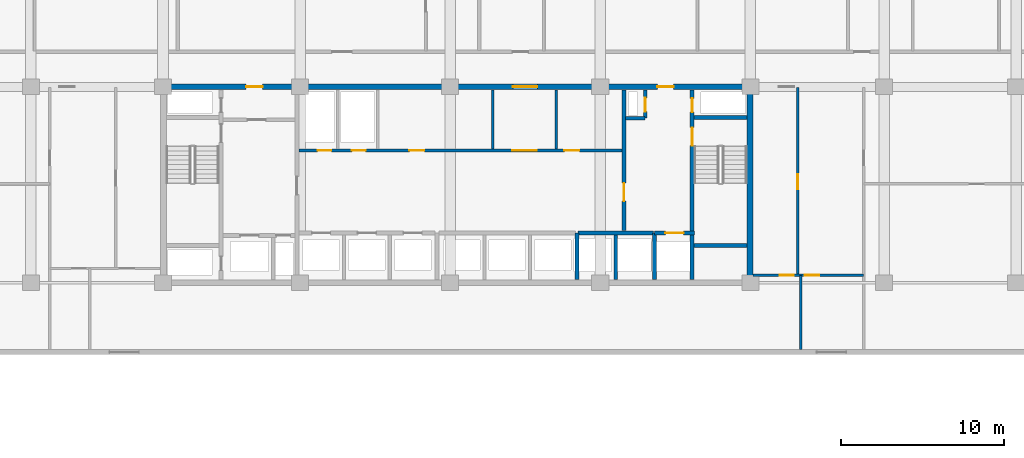
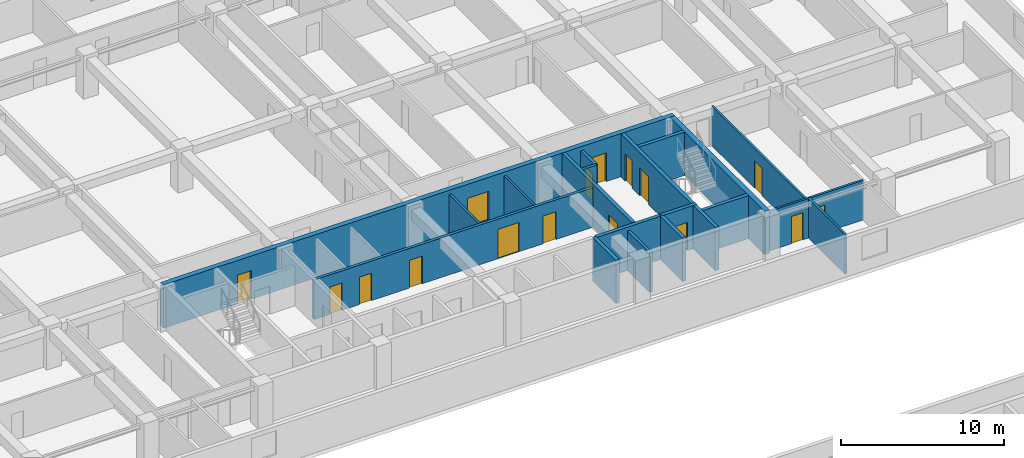
# One storey, part 12 of 23: 19 walls, 16 doors, 16 openings.
"""IFC4 building model written with IfcOpenShell, lengths in metres."""

from ifc_helpers import new_model, si_unit, direction, frame, frame_2d, origin, place, context, subcontext, project, spatial, rectangle, extrude, material, layer, layer_set, type_object, element, fill, save


model = new_model("IFC4")

# Units and contexts
model_context = context("Model", 3, precision=1e-05, world=origin(), true_north=direction((0.0, 1.0)))
body_context = subcontext(model_context, "Body", "Model", "MODEL_VIEW")
ifc_project = project(units=[si_unit("LENGTHUNIT", "METRE"), si_unit("AREAUNIT", "SQUARE_METRE"), si_unit("VOLUMEUNIT", "CUBIC_METRE"), si_unit("PLANEANGLEUNIT", "RADIAN"), si_unit("MASSUNIT", "GRAM", prefix="KILO")], contexts=[model_context])

# Site, building, storey
site_placement = place(None, origin())
site = spatial("IfcSite", under=ifc_project, at=site_placement, CompositionType="ELEMENT")
building_placement = place(site_placement, origin())
building = spatial("IfcBuilding", under=site, at=building_placement, Name="Korimba Cascade Residences", CompositionType="ELEMENT")
storey_placement = place(building_placement, frame((0.0, 0.0, 56.5)))
storey = spatial("IfcBuildingStorey", under=building, at=storey_placement, Name="L15", CompositionType="ELEMENT", Elevation=56.5)

# Wall
ifc_material_1 = material(Name="Concrete C65/80", Category="concrete")
ifc_layer_1 = layer(ifc_material_1, 0.35009765625)
ifc_layer_set_1 = layer_set([ifc_layer_1], Name="Concrete C65/80")
wall_type_1 = type_object("IfcWallType", Name="WAL-CORE-350", PredefinedType="SHEAR", material=ifc_layer_set_1)
wall_1_placement = place(storey_placement, frame((112.074951171875, 55.375, 0.0), z_axis=(0.0, 0.0, 1.0), x_axis=(0.0, 1.0, 0.0)))
element("IfcWall", 1, at=wall_1_placement, inside=storey, type_object=wall_type_1, Name="L15 Core Shear Wall CW-L15-T1-E", PredefinedType="SHEAR", context=body_context, shape_type="SweptSolid", body=[
    extrude(rectangle(XDim=11.64990234375, YDim=0.35009765625, at=frame_2d((5.824951171875, 0.0))), origin(), (0.0, 0.0, 1.0), 3.25),
])

# Wall, openings, doors
wall_2_placement = place(storey_placement, frame((75.949951171875, 67.199951171875, 0.0), z_axis=(0.0, 0.0, 1.0), x_axis=(1.0, 0.0, 0.0)))
wall_2 = element("IfcWall", 2, at=wall_2_placement, inside=storey, type_object=wall_type_1, Name="L15 Core Shear Wall CW-L15-T1-N", PredefinedType="SHEAR", context=body_context, shape_type="SweptSolid", body=[
    extrude(rectangle(XDim=36.300048828125, YDim=0.35009765625, at=frame_2d((18.14990234375, 0.0))), origin(), (0.0, 0.0, 1.0), 3.25),
])
opening_1_placement = place(wall_2_placement, frame((5.25, 0.0, 0.0)))
opening_1 = element("IfcOpeningElement", 3, at=opening_1_placement, cuts=wall_2, Name="Opening D-FD5", PredefinedType="OPENING", context=body_context, shape_type="SweptSolid", body=[
    extrude(rectangle(XDim=1.0, YDim=2.14990234375, at=frame_2d((0.5, 1.074951171875))), frame((0.0, 0.18505859375, 0.0), z_axis=(0.0, -1.0, 0.0), x_axis=(1.0, 0.0, 0.0)), (0.0, 0.0, 1.0), 0.3701171875),
])
opening_2_placement = place(wall_2_placement, frame((21.60009765625, 0.0, 0.0)))
opening_2 = element("IfcOpeningElement", 4, at=opening_2_placement, cuts=wall_2, Name="Opening D-FD8", PredefinedType="OPENING", context=body_context, shape_type="SweptSolid", body=[
    extrude(rectangle(XDim=1.5, YDim=2.199951171875, at=frame_2d((0.75, 1.10009765625))), frame((0.0, 0.18505859375, 0.0), z_axis=(0.0, -1.0, 0.0), x_axis=(1.0, 0.0, 0.0)), (0.0, 0.0, 1.0), 0.3701171875),
])
opening_3_placement = place(wall_2_placement, frame((30.449951171875, 0.0, 0.0)))
opening_3 = element("IfcOpeningElement", 5, at=opening_3_placement, cuts=wall_2, Name="Opening D-FD5", PredefinedType="OPENING", context=body_context, shape_type="SweptSolid", body=[
    extrude(rectangle(XDim=1.0, YDim=2.14990234375, at=frame_2d((0.5, 1.074951171875))), frame((0.0, 0.18505859375, 0.0), z_axis=(0.0, -1.0, 0.0), x_axis=(1.0, 0.0, 0.0)), (0.0, 0.0, 1.0), 0.3701171875),
])
ifc_material_2 = material(Name="Fire-Rated Acoustic Timber Vestibule Door", Category="wood")
door_type_1 = type_object("IfcDoorType", Name="DR-FD90-1000", OperationType="NOTDEFINED", PredefinedType="DOOR", material=ifc_material_2)
door_1_placement = place(opening_1_placement, origin())
door_1 = element("IfcDoor", 6, at=door_1_placement, inside=storey, type_object=door_type_1, Name="L15 T1 West Core Vestibule Fire Door", OperationType="SINGLE_SWING_RIGHT", OverallHeight=2.14990234375, OverallWidth=1.0, PredefinedType="DOOR", context=body_context, shape_type="SweptSolid", body=[
    extrude(rectangle(XDim=1.0, YDim=2.14990234375, at=frame_2d((0.5, 1.074951171875))), frame((0.0, 0.02490234375, 0.0), z_axis=(0.0, -1.0, 0.0), x_axis=(1.0, 0.0, 0.0)), (0.0, 0.0, 1.0), 0.050048828125),
])
fill(opening_1, door_1)
door_2_placement = place(opening_3_placement, origin())
door_2 = element("IfcDoor", 7, at=door_2_placement, inside=storey, type_object=door_type_1, Name="L15 T1 East Firefighting Vestibule Fire Door", OperationType="SINGLE_SWING_LEFT", OverallHeight=2.14990234375, OverallWidth=1.0, PredefinedType="DOOR", context=body_context, shape_type="SweptSolid", body=[
    extrude(rectangle(XDim=1.0, YDim=2.14990234375, at=frame_2d((0.5, 1.074951171875))), frame((0.0, 0.02490234375, 0.0), z_axis=(0.0, -1.0, 0.0), x_axis=(1.0, 0.0, 0.0)), (0.0, 0.0, 1.0), 0.050048828125),
])
fill(opening_3, door_2)
ifc_material_3 = material(Name="Fire-Rated Glazed Lift Lobby Double Door", Category="glass")
door_type_2 = type_object("IfcDoorType", Name="DR-FD90-1500", OperationType="NOTDEFINED", PredefinedType="DOOR", material=ifc_material_3)
door_3_placement = place(opening_2_placement, origin())
door_3 = element("IfcDoor", 8, at=door_3_placement, inside=storey, type_object=door_type_2, Name="L15 T1 Lift Lobby Fire Door", OperationType="DOUBLE_DOOR_SINGLE_SWING", OverallHeight=2.199951171875, OverallWidth=1.5, PredefinedType="DOOR", context=body_context, shape_type="SweptSolid", body=[
    extrude(rectangle(XDim=1.5, YDim=2.199951171875, at=frame_2d((0.75, 1.10009765625))), frame((0.0, 0.02490234375, 0.0), z_axis=(0.0, -1.0, 0.0), x_axis=(1.0, 0.0, 0.0)), (0.0, 0.0, 1.0), 0.050048828125),
])
fill(opening_2, door_3)

# Walls
ifc_material_4 = material(Name="Insulated Acoustic Stud Partition", Category="gypsum")
ifc_layer_2 = layer(ifc_material_4, 0.14990234375)
ifc_layer_set_2 = layer_set([ifc_layer_2], Name="Insulated Acoustic Stud Partition")
wall_type_2 = type_object("IfcWallType", Name="WAL-PART-150", PredefinedType="PARTITIONING", material=ifc_layer_set_2)
for number, where, z_axis, x_axis, name in (
    (9, (96.300048828125, 63.39990234375, 0.0), (0.0, 0.0, 1.0), (0.0, 1.0, 0.0), "L15 Partition Wall CW-L15-T1-THW"),
    (10, (100.199951171875, 63.39990234375, 0.0), (0.0, 0.0, 1.0), (0.0, 1.0, 0.0), "L15 Partition Wall CW-L15-T1-THE"),
):
    element("IfcWall", number, at=place(storey_placement, frame(where, z_axis=z_axis, x_axis=x_axis)), inside=storey, type_object=wall_type_2, Name=name, PredefinedType="PARTITIONING", context=body_context, shape_type="SweptSolid", body=[
        extrude(rectangle(XDim=3.60009765625, YDim=0.14990234375, at=frame_2d((1.800048828125, 0.0))), origin(), (0.0, 0.0, 1.0), 2.969970703125),
    ])

# Wall, opening, door
wall_3_placement = place(storey_placement, frame((115.0, 55.64990234375, 0.0), z_axis=(0.0, 0.0, 1.0), x_axis=(0.0, 1.0, 0.0)))
wall_3 = element("IfcWall", 11, at=wall_3_placement, inside=storey, type_object=wall_type_2, Name="L15 Partition Wall WAL-L15-T1-FE-VN", PredefinedType="PARTITIONING", context=body_context, shape_type="SweptSolid", body=[
    extrude(rectangle(XDim=11.5, YDim=0.14990234375, at=frame_2d((5.75, 0.0))), origin(), (0.0, 0.0, 1.0), 2.969970703125),
])
opening_4_placement = place(wall_3_placement, frame((5.2900390625, 0.0, 0.0)))
opening_4 = element("IfcOpeningElement", 12, at=opening_4_placement, cuts=wall_3, Name="Opening D-IN1", PredefinedType="OPENING", context=body_context, shape_type="SweptSolid", body=[
    extrude(rectangle(XDim=0.919921875, YDim=2.080078125, at=frame_2d((0.4599609375, 1.0400390625))), frame((0.0, 0.0849609375, 0.0), z_axis=(0.0, -1.0, 0.0), x_axis=(1.0, 0.0, 0.0)), (0.0, 0.0, 1.0), 0.169921875),
])
ifc_material_5 = material(Name="Acoustic Timber Living Door", Category="wood")
door_type_3 = type_object("IfcDoorType", Name="DR-INT-920", OperationType="NOTDEFINED", PredefinedType="DOOR", material=ifc_material_5)
door_4_placement = place(opening_4_placement, origin())
door_4 = element("IfcDoor", 13, at=door_4_placement, inside=storey, type_object=door_type_3, Name="L15-T1-FE Living Door", OperationType="SINGLE_SWING_RIGHT", OverallHeight=2.080078125, OverallWidth=0.919921875, PredefinedType="DOOR", context=body_context, shape_type="SweptSolid", body=[
    extrude(rectangle(XDim=0.919921875, YDim=2.080078125, at=frame_2d((0.4599609375, 1.0400390625))), frame((0.0, 0.02490234375, 0.0), z_axis=(0.0, -1.0, 0.0), x_axis=(1.0, 0.0, 0.0)), (0.0, 0.0, 1.0), 0.050048828125),
])
fill(opening_4, door_4)

# Wall
wall_4_placement = place(storey_placement, frame((115.199951171875, 51.10009765625, 0.0), z_axis=(0.0, 0.0, 1.0), x_axis=(0.0, 1.0, 0.0)))
element("IfcWall", 14, at=wall_4_placement, inside=storey, type_object=wall_type_2, Name="L15 Partition Wall WAL-L15-T1-FE-VS", PredefinedType="PARTITIONING", context=body_context, shape_type="SweptSolid", body=[
    extrude(rectangle(XDim=4.5498046875, YDim=0.14990234375, at=frame_2d((2.27490234375, 0.0))), origin(), (0.0, 0.0, 1.0), 2.969970703125),
])

# Wall, openings, doors
wall_5_placement = place(storey_placement, frame((112.27001953125, 55.64990234375, 0.0), z_axis=(0.0, 0.0, 1.0), x_axis=(1.0, 0.0, 0.0)))
wall_5 = element("IfcWall", 15, at=wall_5_placement, inside=storey, type_object=wall_type_2, Name="L15 Partition Wall WAL-L15-T1-FE-H", PredefinedType="PARTITIONING", context=body_context, shape_type="SweptSolid", body=[
    extrude(rectangle(XDim=6.760009765625, YDim=0.14990234375, at=frame_2d((3.3798828125, 0.0))), origin(), (0.0, 0.0, 1.0), 2.969970703125),
])
opening_5_placement = place(wall_5_placement, frame((1.6396484375, 0.0, 0.0)))
opening_5 = element("IfcOpeningElement", 16, at=opening_5_placement, cuts=wall_5, Name="Opening D-BT1", PredefinedType="OPENING", context=body_context, shape_type="SweptSolid", body=[
    extrude(rectangle(XDim=0.840087890625, YDim=2.0400390625, at=frame_2d((0.419921875, 1.02001953125))), frame((0.0, 0.0849609375, 0.0), z_axis=(0.0, -1.0, 0.0), x_axis=(1.0, 0.0, 0.0)), (0.0, 0.0, 1.0), 0.169921875),
])
opening_6_placement = place(wall_5_placement, frame((3.160400390625, 0.0, 0.0)))
opening_6 = element("IfcOpeningElement", 17, at=opening_6_placement, cuts=wall_5, Name="Opening D-IN2", PredefinedType="OPENING", context=body_context, shape_type="SweptSolid", body=[
    extrude(rectangle(XDim=0.8798828125, YDim=2.06005859375, at=frame_2d((0.43994140625, 1.030029296875))), frame((0.0, 0.0849609375, 0.0), z_axis=(0.0, -1.0, 0.0), x_axis=(1.0, 0.0, 0.0)), (0.0, 0.0, 1.0), 0.169921875),
])
ifc_material_6 = material(Name="Moisture-Resistant Bathroom Timber Door", Category="wood")
door_type_4 = type_object("IfcDoorType", Name="DR-INT-850", OperationType="NOTDEFINED", PredefinedType="DOOR", material=ifc_material_6)
door_5_placement = place(opening_5_placement, origin())
door_5 = element("IfcDoor", 18, at=door_5_placement, inside=storey, type_object=door_type_4, Name="L15-T1-FE Bathroom Door", OperationType="SINGLE_SWING_LEFT", OverallHeight=2.0400390625, OverallWidth=0.840087890625, PredefinedType="DOOR", context=body_context, shape_type="SweptSolid", body=[
    extrude(rectangle(XDim=0.840087890625, YDim=2.0400390625, at=frame_2d((0.419921875, 1.02001953125))), frame((0.0, 0.02490234375, 0.0), z_axis=(0.0, -1.0, 0.0), x_axis=(1.0, 0.0, 0.0)), (0.0, 0.0, 1.0), 0.050048828125),
])
fill(opening_5, door_5)
ifc_material_7 = material(Name="Acoustic Timber Bedroom Door", Category="wood")
door_type_5 = type_object("IfcDoorType", Name="DR-INT-880", OperationType="NOTDEFINED", PredefinedType="DOOR", material=ifc_material_7)
door_6_placement = place(opening_6_placement, origin())
door_6 = element("IfcDoor", 19, at=door_6_placement, inside=storey, type_object=door_type_5, Name="L15-T1-FE Bedroom Door", OperationType="SINGLE_SWING_RIGHT", OverallHeight=2.06005859375, OverallWidth=0.8798828125, PredefinedType="DOOR", context=body_context, shape_type="SweptSolid", body=[
    extrude(rectangle(XDim=0.8798828125, YDim=2.06005859375, at=frame_2d((0.43994140625, 1.030029296875))), frame((0.0, 0.02490234375, 0.0), z_axis=(0.0, -1.0, 0.0), x_axis=(1.0, 0.0, 0.0)), (0.0, 0.0, 1.0), 0.050048828125),
])
fill(opening_6, door_6)

# Wall
ifc_material_8 = material(Name="Concrete C40/50", Category="concrete")
ifc_layer_3 = layer(ifc_material_8, 0.199951171875)
ifc_layer_set_3 = layer_set([ifc_layer_3], Name="Concrete C40/50")
wall_type_3 = type_object("IfcWallType", Name="WAL-PART-200", PredefinedType="PARTITIONING", material=ifc_layer_set_3)
wall_6_placement = place(storey_placement, frame((103.85009765625, 55.39990234375, 0.0), z_axis=(0.0, 0.0, 1.0), x_axis=(0.0, 1.0, 0.0)))
element("IfcWall", 20, at=wall_6_placement, inside=storey, type_object=wall_type_3, Name="L15 Partition Wall CW-L15-T1-B3D1", PredefinedType="PARTITIONING", context=body_context, shape_type="SweptSolid", body=[
    extrude(rectangle(XDim=2.72021484375, YDim=0.199951171875, at=frame_2d((1.360107421875, 0.0))), origin(), (0.0, 0.0, 1.0), 2.969970703125),
])

# Wall, openings, doors
wall_7_placement = place(storey_placement, frame((84.419921875, 63.300048828125, 0.0), z_axis=(0.0, 0.0, 1.0), x_axis=(1.0, 0.0, 0.0)))
wall_7 = element("IfcWall", 21, at=wall_7_placement, inside=storey, type_object=wall_type_3, Name="L15 Partition Wall CW-L15-T1-SRVROW", PredefinedType="PARTITIONING", context=body_context, shape_type="SweptSolid", body=[
    extrude(rectangle(XDim=19.830078125, YDim=0.199951171875, at=frame_2d((9.9150390625, 0.0))), origin(), (0.0, 0.0, 1.0), 2.969970703125),
])
opening_7_placement = place(wall_7_placement, frame((1.14990234375, 0.0, 0.0)))
opening_7 = element("IfcOpeningElement", 22, at=opening_7_placement, cuts=wall_7, Name="Opening D-RS1", PredefinedType="OPENING", context=body_context, shape_type="SweptSolid", body=[
    extrude(rectangle(XDim=0.85009765625, YDim=2.050048828125, at=frame_2d((0.425048828125, 1.02490234375))), frame((0.0, 0.10986328125, 0.0), z_axis=(0.0, -1.0, 0.0), x_axis=(1.0, 0.0, 0.0)), (0.0, 0.0, 1.0), 0.219970703125),
])
opening_8_placement = place(wall_7_placement, frame((3.25, 0.0, 0.0)))
opening_8 = element("IfcOpeningElement", 23, at=opening_8_placement, cuts=wall_7, Name="Opening D-RS1", PredefinedType="OPENING", context=body_context, shape_type="SweptSolid", body=[
    extrude(rectangle(XDim=0.85009765625, YDim=2.050048828125, at=frame_2d((0.425048828125, 1.02490234375))), frame((0.0, 0.10986328125, 0.0), z_axis=(0.0, -1.0, 0.0), x_axis=(1.0, 0.0, 0.0)), (0.0, 0.0, 1.0), 0.219970703125),
])
opening_9_placement = place(wall_7_placement, frame((13.080078125, 0.0, 0.0)))
opening_9 = element("IfcOpeningElement", 24, at=opening_9_placement, cuts=wall_7, Name="Opening D-FD8", PredefinedType="OPENING", context=body_context, shape_type="SweptSolid", body=[
    extrude(rectangle(XDim=1.5, YDim=2.199951171875, at=frame_2d((0.75, 1.10009765625))), frame((0.0, 0.10986328125, 0.0), z_axis=(0.0, -1.0, 0.0), x_axis=(1.0, 0.0, 0.0)), (0.0, 0.0, 1.0), 0.219970703125),
])
opening_10_placement = place(wall_7_placement, frame((6.780029296875, 0.0, 0.0)))
opening_10 = element("IfcOpeningElement", 25, at=opening_10_placement, cuts=wall_7, Name="Opening D-IN1", PredefinedType="OPENING", context=body_context, shape_type="SweptSolid", body=[
    extrude(rectangle(XDim=0.919921875, YDim=2.080078125, at=frame_2d((0.4599609375, 1.0400390625))), frame((0.0, 0.10986328125, 0.0), z_axis=(0.0, -1.0, 0.0), x_axis=(1.0, 0.0, 0.0)), (0.0, 0.0, 1.0), 0.219970703125),
])
opening_11_placement = place(wall_7_placement, frame((16.280029296875, 0.0, 0.0)))
opening_11 = element("IfcOpeningElement", 26, at=opening_11_placement, cuts=wall_7, Name="Opening D-IN1", PredefinedType="OPENING", context=body_context, shape_type="SweptSolid", body=[
    extrude(rectangle(XDim=0.919921875, YDim=2.080078125, at=frame_2d((0.4599609375, 1.0400390625))), frame((0.0, 0.10986328125, 0.0), z_axis=(0.0, -1.0, 0.0), x_axis=(1.0, 0.0, 0.0)), (0.0, 0.0, 1.0), 0.219970703125),
])
ifc_material_9 = material(Name="Fire-Rated Steel Riser Access Door", Category="steel")
door_type_6 = type_object("IfcDoorType", Name="DR-FD60-850", OperationType="NOTDEFINED", PredefinedType="DOOR", material=ifc_material_9)
door_7_placement = place(opening_7_placement, origin())
door_7 = element("IfcDoor", 27, at=door_7_placement, inside=storey, type_object=door_type_6, Name="L15 Electrical Riser Door", OperationType="SINGLE_SWING_RIGHT", OverallHeight=2.050048828125, OverallWidth=0.85009765625, PredefinedType="DOOR", context=body_context, shape_type="SweptSolid", body=[
    extrude(rectangle(XDim=0.85009765625, YDim=2.050048828125, at=frame_2d((0.425048828125, 1.02490234375))), frame((0.0, 0.02490234375, 0.0), z_axis=(0.0, -1.0, 0.0), x_axis=(1.0, 0.0, 0.0)), (0.0, 0.0, 1.0), 0.050048828125),
])
fill(opening_7, door_7)
door_8_placement = place(opening_8_placement, origin())
door_8 = element("IfcDoor", 28, at=door_8_placement, inside=storey, type_object=door_type_6, Name="L15 Plumbing Riser Door", OperationType="SINGLE_SWING_LEFT", OverallHeight=2.050048828125, OverallWidth=0.85009765625, PredefinedType="DOOR", context=body_context, shape_type="SweptSolid", body=[
    extrude(rectangle(XDim=0.85009765625, YDim=2.050048828125, at=frame_2d((0.425048828125, 1.02490234375))), frame((0.0, 0.02490234375, 0.0), z_axis=(0.0, -1.0, 0.0), x_axis=(1.0, 0.0, 0.0)), (0.0, 0.0, 1.0), 0.050048828125),
])
fill(opening_8, door_8)
door_9_placement = place(opening_9_placement, origin())
door_9 = element("IfcDoor", 29, at=door_9_placement, inside=storey, type_object=door_type_2, Name="L15 Lift Lobby Foyer Archway Door", OperationType="DOUBLE_DOOR_SINGLE_SWING", OverallHeight=2.199951171875, OverallWidth=1.5, PredefinedType="DOOR", context=body_context, shape_type="SweptSolid", body=[
    extrude(rectangle(XDim=1.5, YDim=2.199951171875, at=frame_2d((0.75, 1.10009765625))), frame((0.0, 0.02490234375, 0.0), z_axis=(0.0, -1.0, 0.0), x_axis=(1.0, 0.0, 0.0)), (0.0, 0.0, 1.0), 0.050048828125),
])
fill(opening_9, door_9)
door_10_placement = place(opening_10_placement, origin())
door_10 = element("IfcDoor", 30, at=door_10_placement, inside=storey, type_object=door_type_3, Name="L15 Housekeeping Door", OperationType="SINGLE_SWING_RIGHT", OverallHeight=2.080078125, OverallWidth=0.919921875, PredefinedType="DOOR", context=body_context, shape_type="SweptSolid", body=[
    extrude(rectangle(XDim=0.919921875, YDim=2.080078125, at=frame_2d((0.4599609375, 1.0400390625))), frame((0.0, 0.02490234375, 0.0), z_axis=(0.0, -1.0, 0.0), x_axis=(1.0, 0.0, 0.0)), (0.0, 0.0, 1.0), 0.050048828125),
])
fill(opening_10, door_10)
door_11_placement = place(opening_11_placement, origin())
door_11 = element("IfcDoor", 31, at=door_11_placement, inside=storey, type_object=door_type_3, Name="L15 Store Door", OperationType="SINGLE_SWING_LEFT", OverallHeight=2.080078125, OverallWidth=0.919921875, PredefinedType="DOOR", context=body_context, shape_type="SweptSolid", body=[
    extrude(rectangle(XDim=0.919921875, YDim=2.080078125, at=frame_2d((0.4599609375, 1.0400390625))), frame((0.0, 0.02490234375, 0.0), z_axis=(0.0, -1.0, 0.0), x_axis=(1.0, 0.0, 0.0)), (0.0, 0.0, 1.0), 0.050048828125),
])
fill(opening_11, door_11)

# Wall
wall_8_placement = place(storey_placement, frame((104.449951171875, 65.280029296875, 0.0), z_axis=(0.0, 0.0, 1.0), x_axis=(1.0, 0.0, 0.0)))
element("IfcWall", 32, at=wall_8_placement, inside=storey, type_object=wall_type_3, Name="L15 Partition Wall CW-L15-T1-HYDW2S", PredefinedType="PARTITIONING", context=body_context, shape_type="SweptSolid", body=[
    extrude(rectangle(XDim=1.199951171875, YDim=0.199951171875, at=frame_2d((0.60009765625, 0.0))), origin(), (0.0, 0.0, 1.0), 2.969970703125),
])

# Wall, opening, door
wall_9_placement = place(storey_placement, frame((105.64990234375, 65.280029296875, 0.0), z_axis=(0.0, 0.0, 1.0), x_axis=(0.0, 1.0, 0.0)))
wall_9 = element("IfcWall", 33, at=wall_9_placement, inside=storey, type_object=wall_type_3, Name="L15 Partition Wall CW-L15-T1-HYDW2E", PredefinedType="PARTITIONING", context=body_context, shape_type="SweptSolid", body=[
    extrude(rectangle(XDim=1.719970703125, YDim=0.199951171875, at=frame_2d((0.85986328125, 0.0))), origin(), (0.0, 0.0, 1.0), 2.969970703125),
])
opening_12_placement = place(wall_9_placement, frame((0.39990234375, 0.0, 0.0)))
opening_12 = element("IfcOpeningElement", 34, at=opening_12_placement, cuts=wall_9, Name="Opening D-RS1", PredefinedType="OPENING", context=body_context, shape_type="SweptSolid", body=[
    extrude(rectangle(XDim=0.85009765625, YDim=2.050048828125, at=frame_2d((0.425048828125, 1.02490234375))), frame((0.0, 0.10986328125, 0.0), z_axis=(0.0, -1.0, 0.0), x_axis=(1.0, 0.0, 0.0)), (0.0, 0.0, 1.0), 0.219970703125),
])
door_12_placement = place(opening_12_placement, origin())
door_12 = element("IfcDoor", 35, at=door_12_placement, inside=storey, type_object=door_type_6, Name="L15 East Hydrant Door", OperationType="SINGLE_SWING_RIGHT", OverallHeight=2.050048828125, OverallWidth=0.85009765625, PredefinedType="DOOR", context=body_context, shape_type="SweptSolid", body=[
    extrude(rectangle(XDim=0.85009765625, YDim=2.050048828125, at=frame_2d((0.425048828125, 1.02490234375))), frame((0.0, 0.02490234375, 0.0), z_axis=(0.0, -1.0, 0.0), x_axis=(1.0, 0.0, 0.0)), (0.0, 0.0, 1.0), 0.050048828125),
])
fill(opening_12, door_12)

# Walls
ifc_material_10 = material(Name="Concrete C50/60", Category="concrete")
ifc_layer_4 = layer(ifc_material_10, 0.25)
ifc_layer_set_4 = layer_set([ifc_layer_4], Name="Concrete C50/60")
wall_type_4 = type_object("IfcWallType", Name="WAL-SHAFT-250", PredefinedType="SHEAR", material=ifc_layer_set_4)
wall_10_placement = place(storey_placement, frame((101.47998046875, 55.39990234375, 0.0), z_axis=(0.0, 0.0, 1.0), x_axis=(0.0, 1.0, 0.0)))
element("IfcWall", 36, at=wall_10_placement, inside=storey, type_object=wall_type_4, Name="L15 Core Shear Wall CW-L15-T1-B23DIV", PredefinedType="SHEAR", context=body_context, shape_type="SweptSolid", body=[
    extrude(rectangle(XDim=2.85009765625, YDim=0.25, at=frame_2d((1.425048828125, 0.0))), origin(), (0.0, 0.0, 1.0), 3.25),
])
wall_11_placement = place(storey_placement, frame((101.550048828125, 58.25, 0.0), z_axis=(0.0, 0.0, 1.0), x_axis=(1.0, 0.0, 0.0)))
element("IfcWall", 37, at=wall_11_placement, inside=storey, type_object=wall_type_4, Name="L15 Core Shear Wall CW-L15-T1-B3N", PredefinedType="SHEAR", context=body_context, shape_type="SweptSolid", body=[
    extrude(rectangle(XDim=4.599853515625, YDim=0.25, at=frame_2d((2.2998046875, 0.0))), origin(), (0.0, 0.0, 1.0), 3.25),
])
wall_12_placement = place(storey_placement, frame((106.219970703125, 55.39990234375, 0.0), z_axis=(0.0, 0.0, 1.0), x_axis=(0.0, 1.0, 0.0)))
element("IfcWall", 38, at=wall_12_placement, inside=storey, type_object=wall_type_4, Name="L15 Core Shear Wall CW-L15-T1-FF2W", PredefinedType="SHEAR", context=body_context, shape_type="SweptSolid", body=[
    extrude(rectangle(XDim=2.85009765625, YDim=0.25, at=frame_2d((1.425048828125, 0.0))), origin(), (0.0, 0.0, 1.0), 3.25),
])

# Wall, opening, door
wall_13_placement = place(storey_placement, frame((106.219970703125, 58.25, 0.0), z_axis=(0.0, 0.0, 1.0), x_axis=(1.0, 0.0, 0.0)))
wall_13 = element("IfcWall", 39, at=wall_13_placement, inside=storey, type_object=wall_type_4, Name="L15 Core Shear Wall CW-L15-T1-FF2N", PredefinedType="SHEAR", context=body_context, shape_type="SweptSolid", body=[
    extrude(rectangle(XDim=2.4599609375, YDim=0.25, at=frame_2d((1.22998046875, 0.0))), origin(), (0.0, 0.0, 1.0), 3.25),
])
opening_13_placement = place(wall_13_placement, frame((0.669921875, 0.0, 0.0)))
opening_13 = element("IfcOpeningElement", 40, at=opening_13_placement, cuts=wall_13, Name="Opening LD-01", PredefinedType="OPENING", context=body_context, shape_type="SweptSolid", body=[
    extrude(rectangle(XDim=1.1201171875, YDim=2.1201171875, at=frame_2d((0.56005859375, 1.06005859375))), frame((0.0, 0.135009765625, 0.0), z_axis=(0.0, -1.0, 0.0), x_axis=(1.0, 0.0, 0.0)), (0.0, 0.0, 1.0), 0.27001953125),
])
ifc_material_11 = material(Name="Stainless Steel Lift Landing Sliding Door", Category="steel")
door_type_7 = type_object("IfcDoorType", Name="DR-LIFT-1100", OperationType="NOTDEFINED", PredefinedType="DOOR", material=ifc_material_11)
door_13_placement = place(opening_13_placement, origin())
door_13 = element("IfcDoor", 41, at=door_13_placement, inside=storey, type_object=door_type_7, Name="L15 Firefighting Lift Landing Door FFL-W2", OperationType="SLIDING_TO_RIGHT", OverallHeight=2.1201171875, OverallWidth=1.1201171875, PredefinedType="DOOR", context=body_context, shape_type="SweptSolid", body=[
    extrude(rectangle(XDim=1.1201171875, YDim=2.1201171875, at=frame_2d((0.56005859375, 1.06005859375))), frame((0.0, 0.02490234375, 0.0), z_axis=(0.0, -1.0, 0.0), x_axis=(1.0, 0.0, 0.0)), (0.0, 0.0, 1.0), 0.050048828125),
])
fill(opening_13, door_13)

wall_14_placement = place(storey_placement, frame((104.35009765625, 58.39990234375, 0.0), z_axis=(0.0, 0.0, 1.0), x_axis=(0.0, 1.0, 0.0)))
wall_14 = element("IfcWall", 42, at=wall_14_placement, inside=storey, type_object=wall_type_4, Name="L15 Core Shear Wall CW-L15-T1-LLEV", PredefinedType="SHEAR", context=body_context, shape_type="SweptSolid", body=[
    extrude(rectangle(XDim=8.60009765625, YDim=0.25, at=frame_2d((4.300048828125, 0.0))), origin(), (0.0, 0.0, 1.0), 3.25),
])
opening_14_placement = place(wall_14_placement, frame((1.800048828125, 0.0, 0.0)))
opening_14 = element("IfcOpeningElement", 43, at=opening_14_placement, cuts=wall_14, Name="Opening D-FD1", PredefinedType="OPENING", context=body_context, shape_type="SweptSolid", body=[
    extrude(rectangle(XDim=1.10009765625, YDim=2.10009765625, at=frame_2d((0.550048828125, 1.050048828125))), frame((0.0, 0.135009765625, 0.0), z_axis=(0.0, -1.0, 0.0), x_axis=(1.0, 0.0, 0.0)), (0.0, 0.0, 1.0), 0.27001953125),
])
ifc_material_12 = material(Name="Fire-Rated Steel Core Door", Category="steel")
door_type_8 = type_object("IfcDoorType", Name="DR-FD120-1100", OperationType="NOTDEFINED", PredefinedType="DOOR", material=ifc_material_12)
door_14_placement = place(opening_14_placement, origin())
door_14 = element("IfcDoor", 44, at=door_14_placement, inside=storey, type_object=door_type_8, Name="L15 Lift Lobby to East Firefighting Lobby Door", OperationType="SINGLE_SWING_LEFT", OverallHeight=2.10009765625, OverallWidth=1.10009765625, PredefinedType="DOOR", context=body_context, shape_type="SweptSolid", body=[
    extrude(rectangle(XDim=1.10009765625, YDim=2.10009765625, at=frame_2d((0.550048828125, 1.050048828125))), frame((0.0, 0.02490234375, 0.0), z_axis=(0.0, -1.0, 0.0), x_axis=(1.0, 0.0, 0.0)), (0.0, 0.0, 1.0), 0.050048828125),
])
fill(opening_14, door_14)

# Wall, openings, doors
wall_15_placement = place(storey_placement, frame((108.534912109375, 55.39990234375, 0.0), z_axis=(0.0, 0.0, 1.0), x_axis=(0.0, 1.0, 0.0)))
wall_15 = element("IfcWall", 45, at=wall_15_placement, inside=storey, type_object=wall_type_4, Name="L15 Core Shear Wall CW-L15-T1-STW2W", PredefinedType="SHEAR", context=body_context, shape_type="SweptSolid", body=[
    extrude(rectangle(XDim=11.60009765625, YDim=0.25, at=frame_2d((5.800048828125, 0.0))), origin(), (0.0, 0.0, 1.0), 3.25),
])
opening_15_placement = place(wall_15_placement, frame((8.199951171875, 0.0, 0.0)))
opening_15 = element("IfcOpeningElement", 46, at=opening_15_placement, cuts=wall_15, Name="Opening D-FD1", PredefinedType="OPENING", context=body_context, shape_type="SweptSolid", body=[
    extrude(rectangle(XDim=1.10009765625, YDim=2.10009765625, at=frame_2d((0.550048828125, 1.050048828125))), frame((0.0, 0.135009765625, 0.0), z_axis=(0.0, -1.0, 0.0), x_axis=(1.0, 0.0, 0.0)), (0.0, 0.0, 1.0), 0.27001953125),
])
opening_16_placement = place(wall_15_placement, frame((10.25, 0.0, 0.0)))
opening_16 = element("IfcOpeningElement", 47, at=opening_16_placement, cuts=wall_15, Name="Opening D-RS1", PredefinedType="OPENING", context=body_context, shape_type="SweptSolid", body=[
    extrude(rectangle(XDim=0.85009765625, YDim=2.050048828125, at=frame_2d((0.425048828125, 1.02490234375))), frame((0.0, 0.135009765625, 0.0), z_axis=(0.0, -1.0, 0.0), x_axis=(1.0, 0.0, 0.0)), (0.0, 0.0, 1.0), 0.27001953125),
])
door_15_placement = place(opening_15_placement, origin())
door_15 = element("IfcDoor", 48, at=door_15_placement, inside=storey, type_object=door_type_8, Name="L15 Fire Stair ST-W2 Door", OperationType="SINGLE_SWING_RIGHT", OverallHeight=2.10009765625, OverallWidth=1.10009765625, PredefinedType="DOOR", context=body_context, shape_type="SweptSolid", body=[
    extrude(rectangle(XDim=1.10009765625, YDim=2.10009765625, at=frame_2d((0.550048828125, 1.050048828125))), frame((0.0, 0.02490234375, 0.0), z_axis=(0.0, -1.0, 0.0), x_axis=(1.0, 0.0, 0.0)), (0.0, 0.0, 1.0), 0.050048828125),
])
fill(opening_15, door_15)
door_16_placement = place(opening_16_placement, origin())
door_16 = element("IfcDoor", 49, at=door_16_placement, inside=storey, type_object=door_type_6, Name="L15 East Riser Door", OperationType="SINGLE_SWING_LEFT", OverallHeight=2.050048828125, OverallWidth=0.85009765625, PredefinedType="DOOR", context=body_context, shape_type="SweptSolid", body=[
    extrude(rectangle(XDim=0.85009765625, YDim=2.050048828125, at=frame_2d((0.425048828125, 1.02490234375))), frame((0.0, 0.02490234375, 0.0), z_axis=(0.0, -1.0, 0.0), x_axis=(1.0, 0.0, 0.0)), (0.0, 0.0, 1.0), 0.050048828125),
])
fill(opening_16, door_16)

# Walls
for number, where, z_axis, x_axis, name in (
    (50, (108.659912109375, 57.47509765625, 0.0), (0.0, 0.0, 1.0), (1.0, 0.0, 0.0), "L15 Core Shear Wall CW-L15-T1-STW2S"),
    (51, (108.659912109375, 65.324951171875, 0.0), (0.0, 0.0, 1.0), (1.0, 0.0, 0.0), "L15 Core Shear Wall CW-L15-T1-STW2N"),
):
    element("IfcWall", number, at=place(storey_placement, frame(where, z_axis=z_axis, x_axis=x_axis)), inside=storey, type_object=wall_type_4, Name=name, PredefinedType="SHEAR", context=body_context, shape_type="SweptSolid", body=[
        extrude(rectangle(XDim=3.239990234375, YDim=0.25, at=frame_2d((1.6201171875, 0.0))), origin(), (0.0, 0.0, 1.0), 3.25),
    ])

save(model, "model.ifc")
